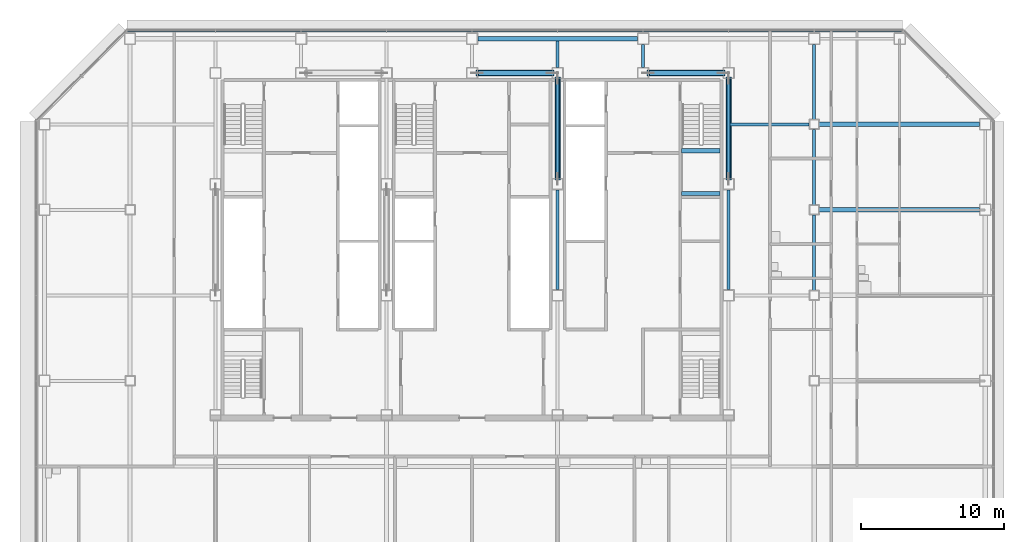
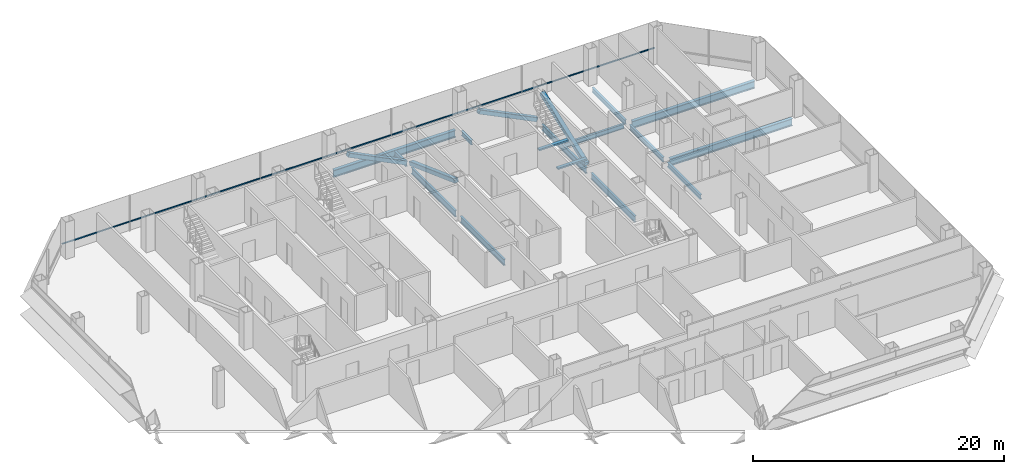
# One storey, part 13 of 25: 15 beams, 5 members, 1 element without a shape of its own.
"""IFC4 building model written with IfcOpenShell, lengths in metres."""

from ifc_helpers import new_model, si_unit, direction, frame, origin, origin_2d, place, context, subcontext, project, spatial, rectangle, hollow_rectangle, i_section, extrude, material, material_profile, profile_set, type_object, element, aggregate, save


model = new_model("IFC4")

# Units and contexts
model_context = context("Model", 3, precision=1e-05, world=origin(), true_north=direction((0.0, 1.0)))
body_context = subcontext(model_context, "Body", "Model", "MODEL_VIEW")
ifc_project = project(units=[si_unit("LENGTHUNIT", "METRE"), si_unit("AREAUNIT", "SQUARE_METRE"), si_unit("VOLUMEUNIT", "CUBIC_METRE"), si_unit("PLANEANGLEUNIT", "RADIAN"), si_unit("MASSUNIT", "GRAM", prefix="KILO")], contexts=[model_context])

# Site, building, storey
site_placement = place(None, origin())
site = spatial("IfcSite", under=ifc_project, at=site_placement, CompositionType="ELEMENT")
building_placement = place(site_placement, origin())
building = spatial("IfcBuilding", under=site, at=building_placement, Name="Sorahane Residences", CompositionType="ELEMENT")
storey_placement = place(building_placement, frame((0.0, 0.0, 123.199951171875)))
storey = spatial("IfcBuildingStorey", under=building, at=storey_placement, Name="L27", CompositionType="ELEMENT", Elevation=123.199951171875)

# Members
ifc_material_1 = material(Name="Steel Q355B", Category="steel")
ifc_material_profile_1 = material_profile(ifc_material_1, hollow_rectangle(XDim=0.39990234375, YDim=0.39990234375, WallThickness=0.02001953125, InnerFilletRadius=0.010009765625, OuterFilletRadius=0.030029296875, at=origin_2d()), Name="RHS 400x400x20")
ifc_profile_set_1 = profile_set([ifc_material_profile_1], Name="Steel Q355B")
member_type_1 = type_object("IfcMemberType", Name="Core brace RHS 400x400x20 Q355B", PredefinedType="BRACE", material=ifc_profile_set_1)
for number, where, z_axis, x_axis, name in (
    (1, (29.653076171875, 45.60009765625, 0.173828125), (-0.896480070819, 0.0, 0.443084058192), (0.0, -1.0, 0.0), "Core brace L27 y45.6-4"),
    (2, (41.653076171875, 45.60009765625, 0.173828125), (-0.896480070819, 0.0, 0.443084058192), (0.0, -1.0, 0.0), "Core brace L27 y45.6-6"),
):
    element("IfcMember", number, at=place(storey_placement, frame(where, z_axis=z_axis, x_axis=x_axis)), inside=storey, type_object=member_type_1, Name=name, PredefinedType="BRACE", context=body_context, shape_type="SweptSolid", body=[
        extrude(hollow_rectangle(XDim=0.39990234375, YDim=0.39990234375, WallThickness=0.02001953125, InnerFilletRadius=0.010009765625, OuterFilletRadius=0.030029296875, at=origin_2d()), origin(), (0.0, 0.0, 1.0), 5.9189453125),
    ])
for number, where, z_axis, x_axis, name in (
    (3, (42.0, 38.15869140625, 0.184814453125), (0.0, 0.938733651637, 0.344643484319), (-1.0, 0.0, 0.0), "Core brace L27 x42-3"),
    (4, (30.0, 45.241455078125, 0.184814453125), (0.0, -0.938733651637, 0.344643484319), (1.0, 0.0, 0.0), "Core brace L27 x30-2"),
):
    element("IfcMember", number, at=place(storey_placement, frame(where, z_axis=z_axis, x_axis=x_axis)), inside=storey, type_object=member_type_1, Name=name, PredefinedType="BRACE", context=body_context, shape_type="SweptSolid", body=[
        extrude(hollow_rectangle(XDim=0.39990234375, YDim=0.39990234375, WallThickness=0.02001953125, InnerFilletRadius=0.010009765625, OuterFilletRadius=0.030029296875, at=origin_2d()), origin(), (0.0, 0.0, 1.0), 7.544921875),
    ])

# Curtain wall, member
ifc_material_2 = material(Name="Dark low-e glass and black anodised aluminium", Category="aluminium")
curtain_wall_type = type_object("IfcCurtainWallType", Name="Curtain wall CW-1 Typical unitised wall", PredefinedType="NOTDEFINED", material=ifc_material_2)
curtain_wall_placement = place(storey_placement, origin())
curtain_wall = element("IfcCurtainWall", 5, at=curtain_wall_placement, inside=storey, type_object=curtain_wall_type, Name="CW-1 curtain wall L27 N1", PredefinedType="NOTDEFINED")
ifc_material_3 = material(Name="Black anodised aluminium", Category="aluminium")
ifc_material_profile_2 = material_profile(ifc_material_3, rectangle(XDim=0.10009765625, YDim=0.06005859375, at=origin_2d()), Name="Curtain wall transom CW-1 black anodised aluminium 60x100")
ifc_profile_set_2 = profile_set([ifc_material_profile_2], Name="Black anodised aluminium")
member_type_2 = type_object("IfcMemberType", Name="Curtain wall transom CW-1 black anodised aluminium 60x100", PredefinedType="USERDEFINED", material=ifc_profile_set_2)
member_placement = place(storey_placement, frame((54.198486328125, 48.530029296875, 0.900146484375), z_axis=(-1.0, 0.0, 0.0), x_axis=(0.0, -1.0, 0.0)))
member = element("IfcMember", 6, at=member_placement, type_object=member_type_2, Name="CW-1 transom L27 N1", ObjectType="TRANSOM", PredefinedType="USERDEFINED", context=body_context, shape_type="SweptSolid", body=[
    extrude(rectangle(XDim=0.10009765625, YDim=0.06005859375, at=origin_2d()), origin(), (0.0, 0.0, 1.0), 54.39697265625),
])
aggregate(curtain_wall, [member])

# Beams
ifc_material_4 = material(Name="Concrete C40", Category="concrete")
ifc_material_profile_3 = material_profile(ifc_material_4, rectangle(XDim=0.300048828125, YDim=0.139892578125, at=origin_2d()), Name="300x140")
ifc_profile_set_3 = profile_set([ifc_material_profile_3], Name="Concrete C40")
beam_type_1 = type_object("IfcBeamType", Name="RC landing beam 300 x 140 Concrete C40", PredefinedType="BEAM", material=ifc_profile_set_3)
for number, where, z_axis, x_axis, name in (
    (7, (38.699951171875, 37.14990234375, 1.530029296875), (1.0, 0.0, 0.0), (0.0, 1.0, 0.0), "Landing beam"),
    (8, (38.699951171875, 40.14990234375, 1.530029296875), (1.0, 0.0, 0.0), (0.0, 1.0, 0.0), "Landing beam"),
):
    element("IfcBeam", number, at=place(storey_placement, frame(where, z_axis=z_axis, x_axis=x_axis)), inside=storey, type_object=beam_type_1, Name=name, PredefinedType="BEAM", context=body_context, shape_type="SweptSolid", body=[
        extrude(rectangle(XDim=0.300048828125, YDim=0.139892578125, at=origin_2d()), origin(), (0.0, 0.0, 1.0), 2.699951171875),
    ])
ifc_material_5 = material(Name="Steel Q355B", Category="steel")
ifc_material_profile_4 = material_profile(ifc_material_5, i_section(OverallWidth=0.199951171875, OverallDepth=0.449951171875, WebThickness=0.009033203125, FlangeThickness=0.013916015625, FilletRadius=0.02001953125, at=origin_2d()), Name="HN 450x200x9x14")
ifc_profile_set_4 = profile_set([ifc_material_profile_4], Name="Steel Q355B")
beam_type_2 = type_object("IfcBeamType", Name="Steel floor beam HN 450x200x9x14 Q355B", PredefinedType="BEAM", material=ifc_profile_set_4)
beam_1_placement = place(storey_placement, frame((30.0, 46.0, -0.405029296875), z_axis=(0.0, 1.0, 0.0), x_axis=(-1.0, 0.0, 0.0)))
element("IfcBeam", 9, at=beam_1_placement, inside=storey, type_object=beam_type_2, Name="Beam L27 049", PredefinedType="BEAM", context=body_context, shape_type="SweptSolid", body=[
    extrude(i_section(OverallWidth=0.199951171875, OverallDepth=0.449951171875, WebThickness=0.009033203125, FlangeThickness=0.013916015625, FilletRadius=0.02001953125, at=origin_2d()), origin(), (0.0, 0.0, 1.0), 1.85009765625),
])
beam_2_placement = place(storey_placement, frame((36.0, 46.0, -0.405029296875), z_axis=(0.0, 1.0, 0.0), x_axis=(-1.0, 0.0, 0.0)))
element("IfcBeam", 10, at=beam_2_placement, inside=storey, type_object=beam_type_2, Name="Beam L27 051", PredefinedType="BEAM", context=body_context, shape_type="SweptSolid", body=[
    extrude(i_section(OverallWidth=0.199951171875, OverallDepth=0.449951171875, WebThickness=0.009033203125, FlangeThickness=0.013916015625, FilletRadius=0.02001953125, at=origin_2d()), origin(), (0.0, 0.0, 1.0), 1.60009765625),
])
for number, where, z_axis, x_axis, name in (
    (11, (48.0, 30.35009765625, -0.405029296875), (0.0, 1.0, 0.0), (-1.0, 0.0, 0.0), "Beam L27 061"),
    (12, (48.0, 36.35009765625, -0.405029296875), (0.0, 1.0, 0.0), (-1.0, 0.0, 0.0), "Beam L27 062"),
):
    element("IfcBeam", number, at=place(storey_placement, frame(where, z_axis=z_axis, x_axis=x_axis)), inside=storey, type_object=beam_type_2, Name=name, PredefinedType="BEAM", context=body_context, shape_type="SweptSolid", body=[
        extrude(i_section(OverallWidth=0.199951171875, OverallDepth=0.449951171875, WebThickness=0.009033203125, FlangeThickness=0.013916015625, FilletRadius=0.02001953125, at=origin_2d()), origin(), (0.0, 0.0, 1.0), 5.2998046875),
    ])
beam_3_placement = place(storey_placement, frame((48.0, 42.35009765625, -0.405029296875), z_axis=(0.0, 1.0, 0.0), x_axis=(-1.0, 0.0, 0.0)))
element("IfcBeam", 13, at=beam_3_placement, inside=storey, type_object=beam_type_2, Name="Beam L27 063", PredefinedType="BEAM", context=body_context, shape_type="SweptSolid", body=[
    extrude(i_section(OverallWidth=0.199951171875, OverallDepth=0.449951171875, WebThickness=0.009033203125, FlangeThickness=0.013916015625, FilletRadius=0.02001953125, at=origin_2d()), origin(), (0.0, 0.0, 1.0), 5.25),
])
beam_4_placement = place(storey_placement, frame((42.10009765625, 42.0, -0.405029296875), z_axis=(1.0, 0.0, 0.0), x_axis=(0.0, 1.0, 0.0)))
element("IfcBeam", 14, at=beam_4_placement, inside=storey, type_object=beam_type_2, Name="Beam L27 091", PredefinedType="BEAM", context=body_context, shape_type="SweptSolid", body=[
    extrude(i_section(OverallWidth=0.199951171875, OverallDepth=0.449951171875, WebThickness=0.009033203125, FlangeThickness=0.013916015625, FilletRadius=0.02001953125, at=origin_2d()), origin(), (0.0, 0.0, 1.0), 5.5498046875),
])
ifc_material_6 = material(Name="Steel Q355B", Category="steel")
ifc_material_profile_5 = material_profile(ifc_material_6, i_section(OverallWidth=0.199951171875, OverallDepth=0.60009765625, WebThickness=0.010986328125, FlangeThickness=0.01708984375, FilletRadius=0.02392578125, at=origin_2d()), Name="HN 600x200x11x17")
ifc_profile_set_5 = profile_set([ifc_material_profile_5], Name="Steel Q355B")
beam_type_3 = type_object("IfcBeamType", Name="Steel floor beam HN 600x200x11x17 Q355B", PredefinedType="BEAM", material=ifc_profile_set_5)
for number, where, z_axis, x_axis, name in (
    (15, (30.0, 30.39990234375, -0.47998046875), (0.0, 1.0, 0.0), (-1.0, 0.0, 0.0), "Beam L27 047"),
    (16, (30.0, 38.199951171875, -0.47998046875), (0.0, 1.0, 0.0), (-1.0, 0.0, 0.0), "Beam L27 048"),
    (17, (42.0, 30.39990234375, -0.47998046875), (0.0, 1.0, 0.0), (-1.0, 0.0, 0.0), "Beam L27 055"),
    (18, (42.0, 38.199951171875, -0.47998046875), (0.0, 1.0, 0.0), (-1.0, 0.0, 0.0), "Beam L27 056"),
):
    element("IfcBeam", number, at=place(storey_placement, frame(where, z_axis=z_axis, x_axis=x_axis)), inside=storey, type_object=beam_type_3, Name=name, PredefinedType="BEAM", context=body_context, shape_type="SweptSolid", body=[
        extrude(i_section(OverallWidth=0.199951171875, OverallDepth=0.60009765625, WebThickness=0.010986328125, FlangeThickness=0.01708984375, FilletRadius=0.02392578125, at=origin_2d()), origin(), (0.0, 0.0, 1.0), 7.0),
    ])
ifc_material_7 = material(Name="Steel Q355B", Category="steel")
ifc_material_profile_6 = material_profile(ifc_material_7, i_section(OverallWidth=0.300048828125, OverallDepth=0.699951171875, WebThickness=0.012939453125, FlangeThickness=0.02392578125, FilletRadius=0.028076171875, at=origin_2d()), Name="HN 700x300x13x24")
ifc_profile_set_6 = profile_set([ifc_material_profile_6], Name="Steel Q355B")
beam_type_4 = type_object("IfcBeamType", Name="Steel floor beam HN 700x300x13x24 Q355B", PredefinedType="BEAM", material=ifc_profile_set_6)
beam_5_placement = place(storey_placement, frame((48.35009765625, 36.0, -0.530029296875), z_axis=(1.0, 0.0, 0.0), x_axis=(0.0, 1.0, 0.0)))
element("IfcBeam", 19, at=beam_5_placement, inside=storey, type_object=beam_type_4, Name="Beam L27 014", PredefinedType="BEAM", context=body_context, shape_type="SweptSolid", body=[
    extrude(i_section(OverallWidth=0.300048828125, OverallDepth=0.699951171875, WebThickness=0.012939453125, FlangeThickness=0.02392578125, FilletRadius=0.028076171875, at=origin_2d()), origin(), (0.0, 0.0, 1.0), 11.25),
])
beam_6_placement = place(storey_placement, frame((24.39990234375, 48.0, -0.530029296875), z_axis=(1.0, 0.0, 0.0), x_axis=(0.0, 1.0, 0.0)))
element("IfcBeam", 20, at=beam_6_placement, inside=storey, type_object=beam_type_4, Name="Beam L27 017", PredefinedType="BEAM", context=body_context, shape_type="SweptSolid", body=[
    extrude(i_section(OverallWidth=0.300048828125, OverallDepth=0.699951171875, WebThickness=0.012939453125, FlangeThickness=0.02392578125, FilletRadius=0.028076171875, at=origin_2d()), origin(), (0.0, 0.0, 1.0), 11.2001953125),
])
beam_7_placement = place(storey_placement, frame((48.35009765625, 42.0, -0.530029296875), z_axis=(1.0, 0.0, 0.0), x_axis=(0.0, 1.0, 0.0)))
element("IfcBeam", 21, at=beam_7_placement, inside=storey, type_object=beam_type_4, Name="Beam L27 092", PredefinedType="BEAM", context=body_context, shape_type="SweptSolid", body=[
    extrude(i_section(OverallWidth=0.300048828125, OverallDepth=0.699951171875, WebThickness=0.012939453125, FlangeThickness=0.02392578125, FilletRadius=0.028076171875, at=origin_2d()), origin(), (0.0, 0.0, 1.0), 11.25),
])

save(model, "model.ifc")
